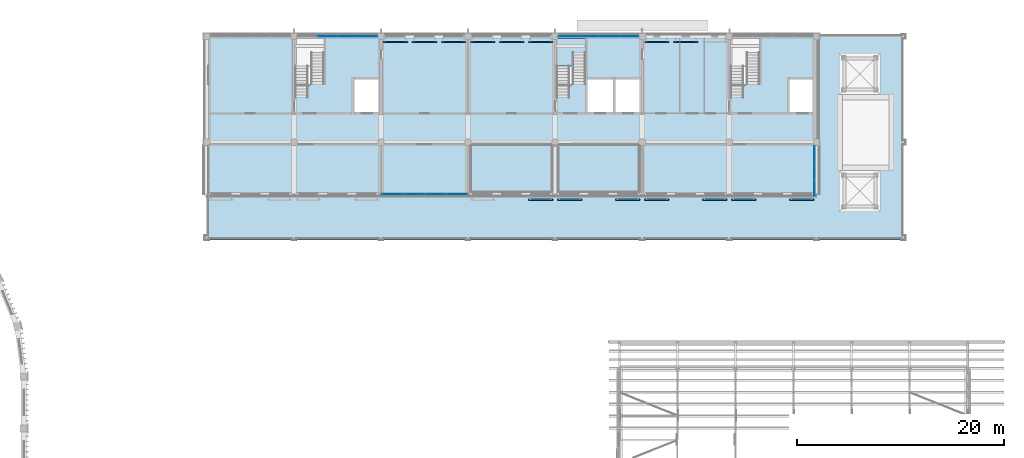
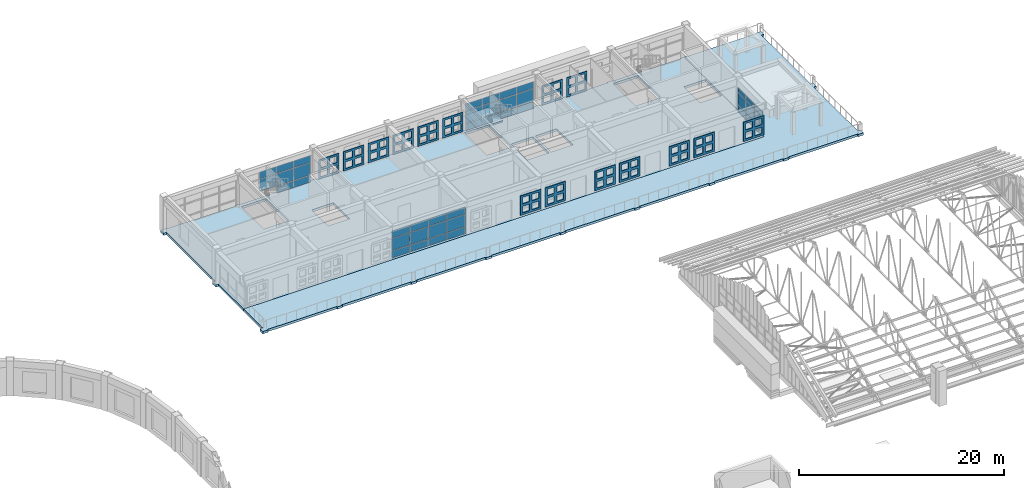
# One storey, part 36 of 71: 56 plates, 3 slabs, 5 elements without a shape of their own.
"""IFC4 building model written with IfcOpenShell, lengths in metres."""

import ifcopenshell
import ifcopenshell.guid

model = None  # the IFC model being written
_history = None  # IfcOwnerHistory: only IFC2X3 demands one
_inside = {}  # id of a spatial element -> (the spatial element, [elements in it])
_under = {}  # id of a project, library or spatial element -> (it, [spatial elements below it])
_declared = {}  # id of a project -> (the project, [libraries it declares])
_typed = {}  # id of a type object -> (the type object, [elements of that type])
_made_of = {}  # id of a material, layer set ... -> (it, [elements and type objects made of it])


def new_model(schema):
    """Start an empty IFC model of exactly this schema.

    Asked for "IFC4X3", IfcOpenShell would pick the latest addendum, in which some entities
    have other attributes; the version numbers below select the first issue.
    IFC2X3 requires an IfcOwnerHistory on every rooted entity: one is made here for all.
    """
    global model, _history
    if schema == "IFC4X3":
        model = ifcopenshell.file(schema_version=(4, 3, 0, 0))
    else:
        model = ifcopenshell.file(schema=schema)
    _inside.clear()
    _under.clear()
    _declared.clear()
    _typed.clear()
    _made_of.clear()
    _history = None
    if model.schema == "IFC2X3":
        org = make("IfcOrganization", Name="unknown")
        user = make(
            "IfcPersonAndOrganization",
            ThePerson=make("IfcPerson", FamilyName="unknown"),
            TheOrganization=org,
        )
        app = make(
            "IfcApplication",
            ApplicationDeveloper=org,
            Version="unknown",
            ApplicationFullName="unknown",
            ApplicationIdentifier="unknown",
        )
        _history = make(
            "IfcOwnerHistory",
            OwningUser=user,
            OwningApplication=app,
            ChangeAction="ADDED",
            CreationDate=0,
        )
    return model


def make(cls, **values):
    """One entity of the class cls with the attributes given. An attribute that is None is left unset."""
    return model.create_entity(
        cls, **{name: value for name, value in values.items() if value is not None}
    )


def rooted(cls, **values):
    """An entity with a GlobalId (a new one), such as an element, a storey or a relation."""
    return make(cls, GlobalId=ifcopenshell.guid.new(), OwnerHistory=_history, **values)


def si_unit(unit_type, name, prefix=None):
    """IfcSIUnit, for example si_unit("LENGTHUNIT", "METRE", prefix="MILLI")."""
    return make("IfcSIUnit", UnitType=unit_type, Prefix=prefix, Name=name)


def assignment(units):
    """IfcUnitAssignment: the units of a project."""
    return None if units is None else make("IfcUnitAssignment", Units=units)


def point(xyz):
    """IfcCartesianPoint."""
    return None if xyz is None else make("IfcCartesianPoint", Coordinates=xyz)


def direction(xyz):
    """IfcDirection."""
    return None if xyz is None else make("IfcDirection", DirectionRatios=xyz)


def frame(location, z_axis=None, x_axis=None):
    """IfcAxis2Placement3D, a coordinate frame: its origin and axes. An axis left out is left unset."""
    return make(
        "IfcAxis2Placement3D",
        Location=point(location),
        Axis=direction(z_axis),
        RefDirection=direction(x_axis),
    )


def frame_2d(location, x_axis=None):
    """IfcAxis2Placement2D, a coordinate frame in the plane: its origin and x axis."""
    return make(
        "IfcAxis2Placement2D", Location=point(location), RefDirection=direction(x_axis)
    )


def origin():
    """The frame at (0, 0, 0) with its axes left unset."""
    return frame((0.0, 0.0, 0.0))


def origin_2d():
    """The frame at (0, 0) in the plane with its x axis left unset."""
    return frame_2d((0.0, 0.0))


def place(relative_to, where):
    """IfcLocalPlacement: puts the frame where relative to a parent placement (None: the world)."""
    return make(
        "IfcLocalPlacement", PlacementRelTo=relative_to, RelativePlacement=where
    )


def context(
    kind, dimensions, precision=None, world=None, true_north=None, identifier=None
):
    """IfcGeometricRepresentationContext, for example the 3D "Model" context."""
    return make(
        "IfcGeometricRepresentationContext",
        ContextIdentifier=identifier,
        ContextType=kind,
        CoordinateSpaceDimension=dimensions,
        Precision=precision,
        WorldCoordinateSystem=world,
        TrueNorth=true_north,
    )


def subcontext(parent, identifier, kind, view, scale=None):
    """IfcGeometricRepresentationSubContext, for example "Body" below "Model"."""
    return make(
        "IfcGeometricRepresentationSubContext",
        ContextIdentifier=identifier,
        ContextType=kind,
        ParentContext=parent,
        TargetScale=scale,
        TargetView=view,
    )


def project(units=None, contexts=None):
    """IfcProject with its units and contexts."""
    return rooted(
        "IfcProject",
        Name="project",
        RepresentationContexts=contexts,
        UnitsInContext=assignment(units),
    )


def spatial(cls, under=None, at=None, **own):
    """A site, building, storey or space (cls), placed at a placement, below another one or the project."""
    s = rooted(cls, ObjectPlacement=at, **own)
    if under is not None:
        _under.setdefault(under.id(), (under, []))[1].append(s)
    return s


def polyline(points):
    """IfcPolyline through the points."""
    return make("IfcPolyline", Points=[point(p) for p in points])


def profile(cls, at=None, kind="AREA", **sizes):
    """A parametric profile (cls). Its sizes go by their IFC names, for example OverallWidth=200.0."""
    return make(cls, ProfileType=kind, Position=at, **sizes)


def rectangle(**sizes):
    """IfcRectangleProfileDef."""
    return profile("IfcRectangleProfileDef", **sizes)


def outline(outer, holes=None, kind="AREA"):
    """IfcArbitraryClosedProfileDef: a profile drawn as a closed curve; with holes, ...WithVoids."""
    if holes is None:
        return make("IfcArbitraryClosedProfileDef", ProfileType=kind, OuterCurve=outer)
    return make(
        "IfcArbitraryProfileDefWithVoids",
        ProfileType=kind,
        OuterCurve=outer,
        InnerCurves=holes,
    )


def extrude(swept, where, along, depth):
    """IfcExtrudedAreaSolid: the profile swept, set in the frame where, extruded along a direction by depth."""
    return make(
        "IfcExtrudedAreaSolid",
        SweptArea=swept,
        Position=where,
        ExtrudedDirection=direction(along),
        Depth=depth,
    )


def shape(context_of_items, identifier, shape_type, items):
    """IfcShapeRepresentation: the items that make up one representation, for example the "Body"."""
    return make(
        "IfcShapeRepresentation",
        ContextOfItems=context_of_items,
        RepresentationIdentifier=identifier,
        RepresentationType=shape_type,
        Items=items,
    )


def material(Name=None, Category=None):
    """IfcMaterial."""
    return make("IfcMaterial", Name=Name, Category=Category)


def layer(
    of_material, thickness, ventilated=None, Name=None, Category=None, Priority=None
):
    """IfcMaterialLayer: one layer of a wall or slab, of a material (None: an air gap)."""
    return make(
        "IfcMaterialLayer",
        Material=of_material,
        LayerThickness=thickness,
        IsVentilated=ventilated,
        Name=Name,
        Category=Category,
        Priority=Priority,
    )


def layer_set(layers, Name=None):
    """IfcMaterialLayerSet."""
    return make("IfcMaterialLayerSet", MaterialLayers=layers, LayerSetName=Name)


def material_profile(
    of_material, cross_section, Name=None, Category=None, Priority=None
):
    """IfcMaterialProfile: a cross section and its material."""
    return make(
        "IfcMaterialProfile",
        Name=Name,
        Material=of_material,
        Profile=cross_section,
        Priority=Priority,
        Category=Category,
    )


def profile_set(profiles, Name=None, composite=None):
    """IfcMaterialProfileSet."""
    return make(
        "IfcMaterialProfileSet",
        Name=Name,
        MaterialProfiles=profiles,
        CompositeProfile=composite,
    )


def made_of(thing, what):
    """Note that an element or type object is made of a material, layer set ...; save() writes the relation."""
    if what is not None:
        _made_of.setdefault(what.id(), (what, []))[1].append(thing)
    return thing


def type_object(cls, material=None, **own):
    """A type object (cls), such as IfcWallType, which elements share."""
    return made_of(rooted(cls, **own), material)


def element(
    cls,
    number,
    at=None,
    inside=None,
    cuts=None,
    type_object=None,
    material=None,
    context=None,
    identifier="Body",
    shape_type=None,
    held_by="IfcProductDefinitionShape",
    body=None,
    shapes=None,
    **own,
):
    """One element of the class cls, such as IfcWall. Its Tag is "e" and its number.

    at: its placement. inside: the storey or other place that contains it. cuts: it is an
    opening in that element (IfcRelVoidsElement). A single representation is given by context,
    identifier, shape_type and body (its items); several are given by shapes. held_by: the class
    of the entity that holds the representations. save() writes the other relations.
    """
    e = rooted(cls, Tag="e%d" % number, ObjectPlacement=at, **own)
    if body is not None:
        shapes = [shape(context, identifier, shape_type, body)]
    if shapes is not None:
        e.Representation = make(held_by, Representations=shapes)
    if inside is not None:
        _inside.setdefault(inside.id(), (inside, []))[1].append(e)
    if cuts is not None:
        rooted(
            "IfcRelVoidsElement", RelatingBuildingElement=cuts, RelatedOpeningElement=e
        )
    if type_object is not None:
        _typed.setdefault(type_object.id(), (type_object, []))[1].append(e)
    return made_of(e, material)


def aggregate(whole, parts):
    """IfcRelAggregates: a whole, such as a stair, and the parts it consists of."""
    return rooted("IfcRelAggregates", RelatingObject=whole, RelatedObjects=parts)


def save(model, path):
    """Write the relations noted so far, then the file.

    IfcRelAggregates (storeys below a building ...), IfcRelContainedInSpatialStructure (elements
    in a storey), IfcRelDefinesByType, IfcRelAssociatesMaterial and IfcRelDeclares: one each for
    every whole, place, type object, material and project.
    """
    for whole, parts in _under.values():
        aggregate(whole, parts)
    for where, things in _inside.values():
        rooted(
            "IfcRelContainedInSpatialStructure",
            RelatedElements=things,
            RelatingStructure=where,
        )
    for kind, things in _typed.values():
        rooted("IfcRelDefinesByType", RelatedObjects=things, RelatingType=kind)
    for what, things in _made_of.values():
        rooted("IfcRelAssociatesMaterial", RelatedObjects=things, RelatingMaterial=what)
    for by, libraries in _declared.values():
        rooted("IfcRelDeclares", RelatingContext=by, RelatedDefinitions=libraries)
    model.write(path)


model = new_model("IFC4")

# Units and contexts
model_context = context("Model", 3, precision=1e-05, world=origin(), true_north=direction((0.0, 1.0)))
body_context = subcontext(model_context, "Body", "Model", "MODEL_VIEW")
ifc_project = project(units=[si_unit("LENGTHUNIT", "METRE"), si_unit("AREAUNIT", "SQUARE_METRE"), si_unit("VOLUMEUNIT", "CUBIC_METRE"), si_unit("PLANEANGLEUNIT", "RADIAN"), si_unit("MASSUNIT", "GRAM", prefix="KILO")], contexts=[model_context])

# Site, building, storey
site_placement = place(None, origin())
site = spatial("IfcSite", under=ifc_project, at=site_placement, CompositionType="ELEMENT")
building_placement = place(site_placement, origin())
building = spatial("IfcBuilding", under=site, at=building_placement, Name="Wasatch Bagh Community Centre", CompositionType="ELEMENT")
storey_placement = place(building_placement, frame((0.0, 0.0, 12.60009765625)))
storey = spatial("IfcBuildingStorey", under=building, at=storey_placement, Name="L03", CompositionType="ELEMENT", Elevation=12.60009765625)

# Curtain wall, plates
ifc_material_1 = material(Name="Aluminium curtain wall frame with low-iron glass", Category="aluminium")
ifc_layer_1 = layer(ifc_material_1, 0.10009765625)
ifc_layer_set_1 = layer_set([ifc_layer_1], Name="Aluminium curtain wall frame with low-iron glass")
curtain_wall_type_1 = type_object("IfcCurtainWallType", Name="LW curtain wall 100", PredefinedType="NOTDEFINED", material=ifc_layer_set_1)
curtain_wall_1_placement = place(storey_placement, origin())
curtain_wall_1 = element("IfcCurtainWall", 1, at=curtain_wall_1_placement, inside=storey, type_object=curtain_wall_type_1, Name="Curtain wall 03.03", PredefinedType="NOTDEFINED")
ifc_material_2 = material(Name="Low-iron insulated glass", Category="glass")
ifc_layer_2 = layer(ifc_material_2, 0.028076171875)
ifc_layer_set_2 = layer_set([ifc_layer_2], Name="Low-iron insulated glass")
plate_type_1 = type_object("IfcPlateType", Name="LW curtain wall panel 28", PredefinedType="CURTAIN_PANEL", material=ifc_layer_set_2)
plate_1_placement = place(storey_placement, frame((84.02490234375, 97.800048828125, 0.929931640625), z_axis=(0.0, 0.0, 1.0), x_axis=(1.0, 0.0, 0.0)))
plate_1 = element("IfcPlate", 2, at=plate_1_placement, type_object=plate_type_1, Name="LW-CW1 panel 2.2", PredefinedType="CURTAIN_PANEL", context=body_context, shape_type="SweptSolid", body=[
    extrude(rectangle(XDim=1.889892578125, YDim=0.028076171875, at=origin_2d()), origin(), (0.0, 0.0, 1.0), 1.43994140625),
])
plate_2_placement = place(storey_placement, frame((84.02490234375, 97.800048828125, 2.429931640625), z_axis=(0.0, 0.0, 1.0), x_axis=(1.0, 0.0, 0.0)))
plate_2 = element("IfcPlate", 3, at=plate_2_placement, type_object=plate_type_1, Name="LW-CW1 panel 2.3", PredefinedType="CURTAIN_PANEL", context=body_context, shape_type="SweptSolid", body=[
    extrude(rectangle(XDim=1.889892578125, YDim=0.028076171875, at=origin_2d()), origin(), (0.0, 0.0, 1.0), 0.830078125),
])
plate_3_placement = place(storey_placement, frame((85.97509765625, 97.800048828125, 0.059814453125), z_axis=(0.0, 0.0, 1.0), x_axis=(1.0, 0.0, 0.0)))
plate_3 = element("IfcPlate", 4, at=plate_3_placement, type_object=plate_type_1, Name="LW-CW1 panel 3.1", PredefinedType="CURTAIN_PANEL", context=body_context, shape_type="SweptSolid", body=[
    extrude(rectangle(XDim=1.889892578125, YDim=0.028076171875, at=origin_2d()), origin(), (0.0, 0.0, 1.0), 0.81005859375),
])
plate_4_placement = place(storey_placement, frame((85.97509765625, 97.800048828125, 0.929931640625), z_axis=(0.0, 0.0, 1.0), x_axis=(1.0, 0.0, 0.0)))
plate_4 = element("IfcPlate", 5, at=plate_4_placement, type_object=plate_type_1, Name="LW-CW1 panel 3.2", PredefinedType="CURTAIN_PANEL", context=body_context, shape_type="SweptSolid", body=[
    extrude(rectangle(XDim=1.889892578125, YDim=0.028076171875, at=origin_2d()), origin(), (0.0, 0.0, 1.0), 1.43994140625),
])
plate_5_placement = place(storey_placement, frame((85.97509765625, 97.800048828125, 2.429931640625), z_axis=(0.0, 0.0, 1.0), x_axis=(1.0, 0.0, 0.0)))
plate_5 = element("IfcPlate", 6, at=plate_5_placement, type_object=plate_type_1, Name="LW-CW1 panel 3.3", PredefinedType="CURTAIN_PANEL", context=body_context, shape_type="SweptSolid", body=[
    extrude(rectangle(XDim=1.889892578125, YDim=0.028076171875, at=origin_2d()), origin(), (0.0, 0.0, 1.0), 0.830078125),
])
plate_6_placement = place(storey_placement, frame((87.909912109375, 97.800048828125, 0.059814453125), z_axis=(0.0, 0.0, 1.0), x_axis=(1.0, 0.0, 0.0)))
plate_6 = element("IfcPlate", 7, at=plate_6_placement, type_object=plate_type_1, Name="LW-CW1 panel 4.1", PredefinedType="CURTAIN_PANEL", context=body_context, shape_type="SweptSolid", body=[
    extrude(rectangle(XDim=1.860107421875, YDim=0.028076171875, at=origin_2d()), origin(), (0.0, 0.0, 1.0), 0.81005859375),
])
plate_7_placement = place(storey_placement, frame((87.909912109375, 97.800048828125, 0.929931640625), z_axis=(0.0, 0.0, 1.0), x_axis=(1.0, 0.0, 0.0)))
plate_7 = element("IfcPlate", 8, at=plate_7_placement, type_object=plate_type_1, Name="LW-CW1 panel 4.2", PredefinedType="CURTAIN_PANEL", context=body_context, shape_type="SweptSolid", body=[
    extrude(rectangle(XDim=1.860107421875, YDim=0.028076171875, at=origin_2d()), origin(), (0.0, 0.0, 1.0), 1.43994140625),
])
plate_8_placement = place(storey_placement, frame((87.909912109375, 97.800048828125, 2.429931640625), z_axis=(0.0, 0.0, 1.0), x_axis=(1.0, 0.0, 0.0)))
plate_8 = element("IfcPlate", 9, at=plate_8_placement, type_object=plate_type_1, Name="LW-CW1 panel 4.3", PredefinedType="CURTAIN_PANEL", context=body_context, shape_type="SweptSolid", body=[
    extrude(rectangle(XDim=1.860107421875, YDim=0.028076171875, at=origin_2d()), origin(), (0.0, 0.0, 1.0), 0.830078125),
])
aggregate(curtain_wall_1, [plate_1, plate_2, plate_3, plate_4, plate_5, plate_6, plate_7, plate_8])

curtain_wall_2_placement = place(storey_placement, origin())
curtain_wall_2 = element("IfcCurtainWall", 10, at=curtain_wall_2_placement, inside=storey, type_object=curtain_wall_type_1, Name="Curtain wall 03.04", PredefinedType="NOTDEFINED")
plate_9_placement = place(storey_placement, frame((107.2900390625, 97.800048828125, 0.059814453125), z_axis=(0.0, 0.0, 1.0), x_axis=(1.0, 0.0, 0.0)))
plate_9 = element("IfcPlate", 11, at=plate_9_placement, type_object=plate_type_1, Name="LW-CW1 panel 1.1", PredefinedType="CURTAIN_PANEL", context=body_context, shape_type="SweptSolid", body=[
    extrude(rectangle(XDim=1.860107421875, YDim=0.028076171875, at=origin_2d()), origin(), (0.0, 0.0, 1.0), 0.81005859375),
])
plate_10_placement = place(storey_placement, frame((107.2900390625, 97.800048828125, 0.929931640625), z_axis=(0.0, 0.0, 1.0), x_axis=(1.0, 0.0, 0.0)))
plate_10 = element("IfcPlate", 12, at=plate_10_placement, type_object=plate_type_1, Name="LW-CW1 panel 1.2", PredefinedType="CURTAIN_PANEL", context=body_context, shape_type="SweptSolid", body=[
    extrude(rectangle(XDim=1.860107421875, YDim=0.028076171875, at=origin_2d()), origin(), (0.0, 0.0, 1.0), 1.43994140625),
])
plate_11_placement = place(storey_placement, frame((107.2900390625, 97.800048828125, 2.429931640625), z_axis=(0.0, 0.0, 1.0), x_axis=(1.0, 0.0, 0.0)))
plate_11 = element("IfcPlate", 13, at=plate_11_placement, type_object=plate_type_1, Name="LW-CW1 panel 1.3", PredefinedType="CURTAIN_PANEL", context=body_context, shape_type="SweptSolid", body=[
    extrude(rectangle(XDim=1.860107421875, YDim=0.028076171875, at=origin_2d()), origin(), (0.0, 0.0, 1.0), 0.830078125),
])
plate_12_placement = place(storey_placement, frame((109.22509765625, 97.800048828125, 0.059814453125), z_axis=(0.0, 0.0, 1.0), x_axis=(1.0, 0.0, 0.0)))
plate_12 = element("IfcPlate", 14, at=plate_12_placement, type_object=plate_type_1, Name="LW-CW1 panel 2.1", PredefinedType="CURTAIN_PANEL", context=body_context, shape_type="SweptSolid", body=[
    extrude(rectangle(XDim=1.889892578125, YDim=0.028076171875, at=origin_2d()), origin(), (0.0, 0.0, 1.0), 0.81005859375),
])
plate_13_placement = place(storey_placement, frame((109.22509765625, 97.800048828125, 0.929931640625), z_axis=(0.0, 0.0, 1.0), x_axis=(1.0, 0.0, 0.0)))
plate_13 = element("IfcPlate", 15, at=plate_13_placement, type_object=plate_type_1, Name="LW-CW1 panel 2.2", PredefinedType="CURTAIN_PANEL", context=body_context, shape_type="SweptSolid", body=[
    extrude(rectangle(XDim=1.889892578125, YDim=0.028076171875, at=origin_2d()), origin(), (0.0, 0.0, 1.0), 1.43994140625),
])
plate_14_placement = place(storey_placement, frame((109.22509765625, 97.800048828125, 2.429931640625), z_axis=(0.0, 0.0, 1.0), x_axis=(1.0, 0.0, 0.0)))
plate_14 = element("IfcPlate", 16, at=plate_14_placement, type_object=plate_type_1, Name="LW-CW1 panel 2.3", PredefinedType="CURTAIN_PANEL", context=body_context, shape_type="SweptSolid", body=[
    extrude(rectangle(XDim=1.889892578125, YDim=0.028076171875, at=origin_2d()), origin(), (0.0, 0.0, 1.0), 0.830078125),
])
plate_15_placement = place(storey_placement, frame((111.175048828125, 97.800048828125, 0.059814453125), z_axis=(0.0, 0.0, 1.0), x_axis=(1.0, 0.0, 0.0)))
plate_15 = element("IfcPlate", 17, at=plate_15_placement, type_object=plate_type_1, Name="LW-CW1 panel 3.1", PredefinedType="CURTAIN_PANEL", context=body_context, shape_type="SweptSolid", body=[
    extrude(rectangle(XDim=1.889892578125, YDim=0.028076171875, at=origin_2d()), origin(), (0.0, 0.0, 1.0), 0.81005859375),
])
plate_16_placement = place(storey_placement, frame((111.175048828125, 97.800048828125, 0.929931640625), z_axis=(0.0, 0.0, 1.0), x_axis=(1.0, 0.0, 0.0)))
plate_16 = element("IfcPlate", 18, at=plate_16_placement, type_object=plate_type_1, Name="LW-CW1 panel 3.2", PredefinedType="CURTAIN_PANEL", context=body_context, shape_type="SweptSolid", body=[
    extrude(rectangle(XDim=1.889892578125, YDim=0.028076171875, at=origin_2d()), origin(), (0.0, 0.0, 1.0), 1.43994140625),
])
plate_17_placement = place(storey_placement, frame((111.175048828125, 97.800048828125, 2.429931640625), z_axis=(0.0, 0.0, 1.0), x_axis=(1.0, 0.0, 0.0)))
plate_17 = element("IfcPlate", 19, at=plate_17_placement, type_object=plate_type_1, Name="LW-CW1 panel 3.3", PredefinedType="CURTAIN_PANEL", context=body_context, shape_type="SweptSolid", body=[
    extrude(rectangle(XDim=1.889892578125, YDim=0.028076171875, at=origin_2d()), origin(), (0.0, 0.0, 1.0), 0.830078125),
])
plate_18_placement = place(storey_placement, frame((113.110107421875, 97.800048828125, 0.059814453125), z_axis=(0.0, 0.0, 1.0), x_axis=(1.0, 0.0, 0.0)))
plate_18 = element("IfcPlate", 20, at=plate_18_placement, type_object=plate_type_1, Name="LW-CW1 panel 4.1", PredefinedType="CURTAIN_PANEL", context=body_context, shape_type="SweptSolid", body=[
    extrude(rectangle(XDim=1.860107421875, YDim=0.028076171875, at=origin_2d()), origin(), (0.0, 0.0, 1.0), 0.81005859375),
])
plate_19_placement = place(storey_placement, frame((113.110107421875, 97.800048828125, 0.929931640625), z_axis=(0.0, 0.0, 1.0), x_axis=(1.0, 0.0, 0.0)))
plate_19 = element("IfcPlate", 21, at=plate_19_placement, type_object=plate_type_1, Name="LW-CW1 panel 4.2", PredefinedType="CURTAIN_PANEL", context=body_context, shape_type="SweptSolid", body=[
    extrude(rectangle(XDim=1.860107421875, YDim=0.028076171875, at=origin_2d()), origin(), (0.0, 0.0, 1.0), 1.43994140625),
])
plate_20_placement = place(storey_placement, frame((113.110107421875, 97.800048828125, 2.429931640625), z_axis=(0.0, 0.0, 1.0), x_axis=(1.0, 0.0, 0.0)))
plate_20 = element("IfcPlate", 22, at=plate_20_placement, type_object=plate_type_1, Name="LW-CW1 panel 4.3", PredefinedType="CURTAIN_PANEL", context=body_context, shape_type="SweptSolid", body=[
    extrude(rectangle(XDim=1.860107421875, YDim=0.028076171875, at=origin_2d()), origin(), (0.0, 0.0, 1.0), 0.830078125),
])
aggregate(curtain_wall_2, [plate_9, plate_10, plate_11, plate_12, plate_13, plate_14, plate_15, plate_16, plate_17, plate_18, plate_19, plate_20])

ifc_layer_3 = layer(ifc_material_1, 0.139892578125)
ifc_layer_set_3 = layer_set([ifc_layer_3], Name="Aluminium curtain wall frame with low-iron glass")
curtain_wall_type_2 = type_object("IfcCurtainWallType", Name="LW terrace front curtain wall 140", PredefinedType="NOTDEFINED", material=ifc_layer_set_3)
curtain_wall_3_placement = place(storey_placement, origin())
curtain_wall_3 = element("IfcCurtainWall", 23, at=curtain_wall_3_placement, inside=storey, type_object=curtain_wall_type_2, Name="Curtain wall 03.01", PredefinedType="NOTDEFINED")
ifc_layer_4 = layer(ifc_material_2, 0.028076171875)
ifc_layer_set_4 = layer_set([ifc_layer_4], Name="Low-iron insulated glass")
plate_type_2 = type_object("IfcPlateType", Name="LW curtain wall panel 28 LW-CW3", PredefinedType="CURTAIN_PANEL", material=ifc_layer_set_4)
plate_21_placement = place(storey_placement, frame((90.264892578125, 82.60009765625, 0.059814453125), z_axis=(0.0, 0.0, 1.0), x_axis=(1.0, 0.0, 0.0)))
plate_21 = element("IfcPlate", 24, at=plate_21_placement, type_object=plate_type_2, Name="LW-CW3 panel 1.1", PredefinedType="CURTAIN_PANEL", context=body_context, shape_type="SweptSolid", body=[
    extrude(rectangle(XDim=2.010009765625, YDim=0.028076171875, at=origin_2d()), origin(), (0.0, 0.0, 1.0), 0.81005859375),
])
plate_22_placement = place(storey_placement, frame((90.264892578125, 82.60009765625, 0.929931640625), z_axis=(0.0, 0.0, 1.0), x_axis=(1.0, 0.0, 0.0)))
plate_22 = element("IfcPlate", 25, at=plate_22_placement, type_object=plate_type_2, Name="LW-CW3 panel 1.2", PredefinedType="CURTAIN_PANEL", context=body_context, shape_type="SweptSolid", body=[
    extrude(rectangle(XDim=2.010009765625, YDim=0.028076171875, at=origin_2d()), origin(), (0.0, 0.0, 1.0), 1.43994140625),
])
plate_23_placement = place(storey_placement, frame((90.264892578125, 82.60009765625, 2.429931640625), z_axis=(0.0, 0.0, 1.0), x_axis=(1.0, 0.0, 0.0)))
plate_23 = element("IfcPlate", 26, at=plate_23_placement, type_object=plate_type_2, Name="LW-CW3 panel 1.3", PredefinedType="CURTAIN_PANEL", context=body_context, shape_type="SweptSolid", body=[
    extrude(rectangle(XDim=2.010009765625, YDim=0.028076171875, at=origin_2d()), origin(), (0.0, 0.0, 1.0), 0.830078125),
])
plate_24_placement = place(storey_placement, frame((92.35009765625, 82.60009765625, 0.059814453125), z_axis=(0.0, 0.0, 1.0), x_axis=(1.0, 0.0, 0.0)))
plate_24 = element("IfcPlate", 27, at=plate_24_placement, type_object=plate_type_2, Name="LW-CW3 panel 2.1", PredefinedType="CURTAIN_PANEL", context=body_context, shape_type="SweptSolid", body=[
    extrude(rectangle(XDim=2.0400390625, YDim=0.028076171875, at=origin_2d()), origin(), (0.0, 0.0, 1.0), 0.81005859375),
])
plate_25_placement = place(storey_placement, frame((92.35009765625, 82.60009765625, 0.929931640625), z_axis=(0.0, 0.0, 1.0), x_axis=(1.0, 0.0, 0.0)))
plate_25 = element("IfcPlate", 28, at=plate_25_placement, type_object=plate_type_2, Name="LW-CW3 panel 2.2", PredefinedType="CURTAIN_PANEL", context=body_context, shape_type="SweptSolid", body=[
    extrude(rectangle(XDim=2.0400390625, YDim=0.028076171875, at=origin_2d()), origin(), (0.0, 0.0, 1.0), 1.43994140625),
])
plate_26_placement = place(storey_placement, frame((92.35009765625, 82.60009765625, 2.429931640625), z_axis=(0.0, 0.0, 1.0), x_axis=(1.0, 0.0, 0.0)))
plate_26 = element("IfcPlate", 29, at=plate_26_placement, type_object=plate_type_2, Name="LW-CW3 panel 2.3", PredefinedType="CURTAIN_PANEL", context=body_context, shape_type="SweptSolid", body=[
    extrude(rectangle(XDim=2.0400390625, YDim=0.028076171875, at=origin_2d()), origin(), (0.0, 0.0, 1.0), 0.830078125),
])
plate_27_placement = place(storey_placement, frame((94.449951171875, 82.60009765625, 0.059814453125), z_axis=(0.0, 0.0, 1.0), x_axis=(1.0, 0.0, 0.0)))
plate_27 = element("IfcPlate", 30, at=plate_27_placement, type_object=plate_type_2, Name="LW-CW3 panel 3.1", PredefinedType="CURTAIN_PANEL", context=body_context, shape_type="SweptSolid", body=[
    extrude(rectangle(XDim=2.0400390625, YDim=0.028076171875, at=origin_2d()), origin(), (0.0, 0.0, 1.0), 0.81005859375),
])
plate_28_placement = place(storey_placement, frame((94.449951171875, 82.60009765625, 0.929931640625), z_axis=(0.0, 0.0, 1.0), x_axis=(1.0, 0.0, 0.0)))
plate_28 = element("IfcPlate", 31, at=plate_28_placement, type_object=plate_type_2, Name="LW-CW3 panel 3.2", PredefinedType="CURTAIN_PANEL", context=body_context, shape_type="SweptSolid", body=[
    extrude(rectangle(XDim=2.0400390625, YDim=0.028076171875, at=origin_2d()), origin(), (0.0, 0.0, 1.0), 1.43994140625),
])
plate_29_placement = place(storey_placement, frame((94.449951171875, 82.60009765625, 2.429931640625), z_axis=(0.0, 0.0, 1.0), x_axis=(1.0, 0.0, 0.0)))
plate_29 = element("IfcPlate", 32, at=plate_29_placement, type_object=plate_type_2, Name="LW-CW3 panel 3.3", PredefinedType="CURTAIN_PANEL", context=body_context, shape_type="SweptSolid", body=[
    extrude(rectangle(XDim=2.0400390625, YDim=0.028076171875, at=origin_2d()), origin(), (0.0, 0.0, 1.0), 0.830078125),
])
plate_30_placement = place(storey_placement, frame((96.534912109375, 82.60009765625, 0.059814453125), z_axis=(0.0, 0.0, 1.0), x_axis=(1.0, 0.0, 0.0)))
plate_30 = element("IfcPlate", 33, at=plate_30_placement, type_object=plate_type_2, Name="LW-CW3 panel 4.1", PredefinedType="CURTAIN_PANEL", context=body_context, shape_type="SweptSolid", body=[
    extrude(rectangle(XDim=2.010009765625, YDim=0.028076171875, at=origin_2d()), origin(), (0.0, 0.0, 1.0), 0.81005859375),
])
plate_31_placement = place(storey_placement, frame((96.534912109375, 82.60009765625, 0.929931640625), z_axis=(0.0, 0.0, 1.0), x_axis=(1.0, 0.0, 0.0)))
plate_31 = element("IfcPlate", 34, at=plate_31_placement, type_object=plate_type_2, Name="LW-CW3 panel 4.2", PredefinedType="CURTAIN_PANEL", context=body_context, shape_type="SweptSolid", body=[
    extrude(rectangle(XDim=2.010009765625, YDim=0.028076171875, at=origin_2d()), origin(), (0.0, 0.0, 1.0), 1.43994140625),
])
plate_32_placement = place(storey_placement, frame((96.534912109375, 82.60009765625, 2.429931640625), z_axis=(0.0, 0.0, 1.0), x_axis=(1.0, 0.0, 0.0)))
plate_32 = element("IfcPlate", 35, at=plate_32_placement, type_object=plate_type_2, Name="LW-CW3 panel 4.3", PredefinedType="CURTAIN_PANEL", context=body_context, shape_type="SweptSolid", body=[
    extrude(rectangle(XDim=2.010009765625, YDim=0.028076171875, at=origin_2d()), origin(), (0.0, 0.0, 1.0), 0.830078125),
])
aggregate(curtain_wall_3, [plate_21, plate_22, plate_23, plate_24, plate_25, plate_26, plate_27, plate_28, plate_29, plate_30, plate_31, plate_32])

ifc_layer_5 = layer(ifc_material_1, 0.159912109375)
ifc_layer_set_5 = layer_set([ifc_layer_5], Name="Aluminium curtain wall frame with low-iron glass")
curtain_wall_type_3 = type_object("IfcCurtainWallType", Name="LW gable curtain wall 160", PredefinedType="NOTDEFINED", material=ifc_layer_set_5)
curtain_wall_4_placement = place(storey_placement, origin())
curtain_wall_4 = element("IfcCurtainWall", 36, at=curtain_wall_4_placement, inside=storey, type_object=curtain_wall_type_3, Name="Curtain wall 03.07", PredefinedType="NOTDEFINED")
ifc_layer_6 = layer(ifc_material_2, 0.028076171875)
ifc_layer_set_6 = layer_set([ifc_layer_6], Name="Low-iron insulated glass")
plate_type_3 = type_object("IfcPlateType", Name="LW curtain wall panel 28 LW-CW4", PredefinedType="CURTAIN_PANEL", material=ifc_layer_set_6)
plate_33_placement = place(storey_placement, frame((131.02490234375, 83.231689453125, 0.059814453125), z_axis=(0.0, 0.0, 1.0), x_axis=(0.0, 1.0, 0.0)))
plate_33 = element("IfcPlate", 37, at=plate_33_placement, type_object=plate_type_3, Name="LW-CW4 panel 1.1", PredefinedType="CURTAIN_PANEL", context=body_context, shape_type="SweptSolid", body=[
    extrude(rectangle(XDim=1.543212890625, YDim=0.028076171875, at=origin_2d()), origin(), (0.0, 0.0, 1.0), 0.81005859375),
])
plate_34_placement = place(storey_placement, frame((131.02490234375, 83.231689453125, 0.929931640625), z_axis=(0.0, 0.0, 1.0), x_axis=(0.0, 1.0, 0.0)))
plate_34 = element("IfcPlate", 38, at=plate_34_placement, type_object=plate_type_3, Name="LW-CW4 panel 1.2", PredefinedType="CURTAIN_PANEL", context=body_context, shape_type="SweptSolid", body=[
    extrude(rectangle(XDim=1.543212890625, YDim=0.028076171875, at=origin_2d()), origin(), (0.0, 0.0, 1.0), 1.43994140625),
])
plate_35_placement = place(storey_placement, frame((131.02490234375, 83.231689453125, 2.4296875), z_axis=(0.0, 0.0, 1.0), x_axis=(0.0, 1.0, 0.0)))
plate_35 = element("IfcPlate", 39, at=plate_35_placement, type_object=plate_type_3, Name="LW-CW4 panel 1.3", PredefinedType="CURTAIN_PANEL", context=body_context, shape_type="SweptSolid", body=[
    extrude(rectangle(XDim=1.543212890625, YDim=0.028076171875, at=origin_2d()), origin(), (0.0, 0.0, 1.0), 0.530029296875),
])
plate_36_placement = place(storey_placement, frame((131.02490234375, 84.85009765625, 0.059814453125), z_axis=(0.0, 0.0, 1.0), x_axis=(0.0, 1.0, 0.0)))
plate_36 = element("IfcPlate", 40, at=plate_36_placement, type_object=plate_type_3, Name="LW-CW4 panel 2.1", PredefinedType="CURTAIN_PANEL", context=body_context, shape_type="SweptSolid", body=[
    extrude(rectangle(XDim=1.5732421875, YDim=0.028076171875, at=origin_2d()), origin(), (0.0, 0.0, 1.0), 0.81005859375),
])
plate_37_placement = place(storey_placement, frame((131.02490234375, 84.85009765625, 0.929931640625), z_axis=(0.0, 0.0, 1.0), x_axis=(0.0, 1.0, 0.0)))
plate_37 = element("IfcPlate", 41, at=plate_37_placement, type_object=plate_type_3, Name="LW-CW4 panel 2.2", PredefinedType="CURTAIN_PANEL", context=body_context, shape_type="SweptSolid", body=[
    extrude(rectangle(XDim=1.5732421875, YDim=0.028076171875, at=origin_2d()), origin(), (0.0, 0.0, 1.0), 1.43994140625),
])
plate_38_placement = place(storey_placement, frame((131.02490234375, 84.85009765625, 2.4296875), z_axis=(0.0, 0.0, 1.0), x_axis=(0.0, 1.0, 0.0)))
plate_38 = element("IfcPlate", 42, at=plate_38_placement, type_object=plate_type_3, Name="LW-CW4 panel 2.3", PredefinedType="CURTAIN_PANEL", context=body_context, shape_type="SweptSolid", body=[
    extrude(rectangle(XDim=1.5732421875, YDim=0.028076171875, at=origin_2d()), origin(), (0.0, 0.0, 1.0), 0.530029296875),
])
plate_39_placement = place(storey_placement, frame((131.02490234375, 86.46826171875, 0.059814453125), z_axis=(0.0, 0.0, 1.0), x_axis=(0.0, 1.0, 0.0)))
plate_39 = element("IfcPlate", 43, at=plate_39_placement, type_object=plate_type_3, Name="LW-CW4 panel 3.1", PredefinedType="CURTAIN_PANEL", context=body_context, shape_type="SweptSolid", body=[
    extrude(rectangle(XDim=1.543212890625, YDim=0.028076171875, at=origin_2d()), origin(), (0.0, 0.0, 1.0), 0.81005859375),
])
plate_40_placement = place(storey_placement, frame((131.02490234375, 86.46826171875, 0.929931640625), z_axis=(0.0, 0.0, 1.0), x_axis=(0.0, 1.0, 0.0)))
plate_40 = element("IfcPlate", 44, at=plate_40_placement, type_object=plate_type_3, Name="LW-CW4 panel 3.2", PredefinedType="CURTAIN_PANEL", context=body_context, shape_type="SweptSolid", body=[
    extrude(rectangle(XDim=1.543212890625, YDim=0.028076171875, at=origin_2d()), origin(), (0.0, 0.0, 1.0), 1.43994140625),
])
plate_41_placement = place(storey_placement, frame((131.02490234375, 86.46826171875, 2.4296875), z_axis=(0.0, 0.0, 1.0), x_axis=(0.0, 1.0, 0.0)))
plate_41 = element("IfcPlate", 45, at=plate_41_placement, type_object=plate_type_3, Name="LW-CW4 panel 3.3", PredefinedType="CURTAIN_PANEL", context=body_context, shape_type="SweptSolid", body=[
    extrude(rectangle(XDim=1.543212890625, YDim=0.028076171875, at=origin_2d()), origin(), (0.0, 0.0, 1.0), 0.530029296875),
])
aggregate(curtain_wall_4, [plate_33, plate_34, plate_35, plate_36, plate_37, plate_38, plate_39, plate_40, plate_41])

# Slab
ifc_material_3 = material(Name="Concrete C35", Category="concrete")
ifc_layer_7 = layer(ifc_material_3, 0.280029296875)
ifc_layer_set_7 = layer_set([ifc_layer_7], Name="Concrete C35")
slab_type_1 = type_object("IfcSlabType", Name="LW floor slab 280", PredefinedType="FLOOR", material=ifc_layer_set_7)
slab_1_placement = place(storey_placement, frame((0.0, 0.0, -0.280029296875)))
element("IfcSlab", 46, at=slab_1_placement, inside=storey, type_object=slab_type_1, Name="LW.slab.L03.05", PredefinedType="FLOOR", context=body_context, shape_type="SweptSolid", body=[
    extrude(outline(polyline([(80.5, 98.10009765625), (81.10009765625, 98.10009765625), (81.10009765625, 98.0), (88.89990234375, 98.0), (88.89990234375, 98.10009765625), (89.5, 98.10009765625), (89.5, 98.0), (97.300048828125, 98.0), (97.300048828125, 98.10009765625), (97.89990234375, 98.10009765625), (97.89990234375, 98.0), (105.699951171875, 98.0), (105.699951171875, 98.10009765625), (106.300048828125, 98.10009765625), (106.300048828125, 98.0), (114.10009765625, 98.0), (114.10009765625, 98.10009765625), (114.699951171875, 98.10009765625), (114.699951171875, 98.0), (122.5, 98.0), (122.5, 98.10009765625), (123.10009765625, 98.10009765625), (123.10009765625, 98.0), (130.89990234375, 98.0), (130.89990234375, 98.10009765625), (131.5, 98.10009765625), (131.5, 98.0), (131.199951171875, 98.0), (131.199951171875, 82.39990234375), (72.39990234375, 82.39990234375), (72.39990234375, 87.300048828125), (72.10009765625, 87.300048828125), (72.10009765625, 87.89990234375), (72.39990234375, 87.89990234375), (72.39990234375, 97.5), (72.10009765625, 97.5), (72.10009765625, 98.10009765625), (72.699951171875, 98.10009765625), (72.699951171875, 98.0), (80.5, 98.0), (80.5, 98.10009765625)]), holes=[polyline([(86.625, 93.675048828125), (89.074951171875, 93.675048828125), (89.074951171875, 90.52490234375), (86.625, 90.52490234375), (86.625, 93.675048828125)]), polyline([(111.574951171875, 93.675048828125), (111.574951171875, 90.52490234375), (109.125, 90.52490234375), (109.125, 93.675048828125), (111.574951171875, 93.675048828125)]), polyline([(114.27490234375, 93.675048828125), (114.27490234375, 90.52490234375), (111.824951171875, 90.52490234375), (111.824951171875, 93.675048828125), (114.27490234375, 93.675048828125)]), polyline([(131.074951171875, 93.675048828125), (131.074951171875, 90.52490234375), (128.625, 90.52490234375), (128.625, 93.675048828125), (131.074951171875, 93.675048828125)]), polyline([(83.72509765625, 97.60009765625), (83.72509765625, 93.219970703125), (80.925048828125, 93.219970703125), (80.925048828125, 97.60009765625), (83.72509765625, 97.60009765625)]), polyline([(108.925048828125, 97.60009765625), (108.925048828125, 93.219970703125), (106.125, 93.219970703125), (106.125, 97.60009765625), (108.925048828125, 97.60009765625)]), polyline([(125.72509765625, 97.60009765625), (125.72509765625, 93.219970703125), (122.925048828125, 93.219970703125), (122.925048828125, 97.60009765625), (125.72509765625, 97.60009765625)])]), origin(), (0.0, 0.0, 1.0), 0.280029296875),
])

# Plates
ifc_material_4 = material(Name="Precast concrete C40/50", Category="concrete")
ifc_material_profile = material_profile(ifc_material_4, outline(polyline([(-1.159912109375, -1.159912109375), (1.159912109375, -1.159912109375), (1.159912109375, 1.159912109375), (-1.159912109375, 1.159912109375), (-1.159912109375, -1.159912109375)]), holes=[polyline([(-0.919921875, -0.919921875), (-0.14990234375, -0.919921875), (-0.14990234375, -0.14990234375), (-0.919921875, -0.14990234375), (-0.919921875, -0.919921875)]), polyline([(-0.919921875, 0.14990234375), (-0.14990234375, 0.14990234375), (-0.14990234375, 0.919921875), (-0.919921875, 0.919921875), (-0.919921875, 0.14990234375)]), polyline([(0.14990234375, -0.919921875), (0.919921875, -0.919921875), (0.919921875, -0.14990234375), (0.14990234375, -0.14990234375), (0.14990234375, -0.919921875)]), polyline([(0.14990234375, 0.14990234375), (0.919921875, 0.14990234375), (0.919921875, 0.919921875), (0.14990234375, 0.919921875), (0.14990234375, 0.14990234375)])]), Name="Jali lattice")
ifc_profile_set = profile_set([ifc_material_profile], Name="Precast concrete C40/50")
plate_type_4 = type_object("IfcPlateType", Name="LW jali panel 2320x2320", PredefinedType="SHEET", material=ifc_profile_set)
for number, where, z_axis, x_axis, name in (
    (47, (104.60009765625, 82.10009765625, 1.659912109375), (0.0, -1.0, 0.0), (1.0, 0.0, 0.0), "Jali panel"),
    (48, (107.39990234375, 82.10009765625, 1.659912109375), (0.0, -1.0, 0.0), (1.0, 0.0, 0.0), "Jali panel"),
    (49, (113.0, 82.10009765625, 1.659912109375), (0.0, -1.0, 0.0), (1.0, 0.0, 0.0), "Jali panel"),
    (50, (115.800048828125, 82.10009765625, 1.659912109375), (0.0, -1.0, 0.0), (1.0, 0.0, 0.0), "Jali panel"),
    (51, (121.39990234375, 82.10009765625, 1.659912109375), (0.0, -1.0, 0.0), (1.0, 0.0, 0.0), "Jali panel"),
    (52, (124.199951171875, 82.10009765625, 1.659912109375), (0.0, -1.0, 0.0), (1.0, 0.0, 0.0), "Jali panel"),
    (53, (129.800048828125, 82.10009765625, 1.659912109375), (0.0, -1.0, 0.0), (1.0, 0.0, 0.0), "Jali panel"),
    (54, (90.60009765625, 97.300048828125, 1.659912109375), (0.0, -1.0, 0.0), (1.0, 0.0, 0.0), "Jali panel"),
    (55, (93.39990234375, 97.300048828125, 1.659912109375), (0.0, -1.0, 0.0), (1.0, 0.0, 0.0), "Jali panel"),
    (56, (96.199951171875, 97.300048828125, 1.659912109375), (0.0, -1.0, 0.0), (1.0, 0.0, 0.0), "Jali panel"),
    (57, (99.0, 97.300048828125, 1.659912109375), (0.0, -1.0, 0.0), (1.0, 0.0, 0.0), "Jali panel"),
    (58, (101.800048828125, 97.300048828125, 1.659912109375), (0.0, -1.0, 0.0), (1.0, 0.0, 0.0), "Jali panel"),
    (59, (104.60009765625, 97.300048828125, 1.659912109375), (0.0, -1.0, 0.0), (1.0, 0.0, 0.0), "Jali panel"),
    (60, (115.800048828125, 97.300048828125, 1.659912109375), (0.0, -1.0, 0.0), (1.0, 0.0, 0.0), "Jali panel"),
    (61, (118.60009765625, 97.300048828125, 1.659912109375), (0.0, -1.0, 0.0), (1.0, 0.0, 0.0), "Jali panel"),
):
    element("IfcPlate", number, at=place(storey_placement, frame(where, z_axis=z_axis, x_axis=x_axis)), inside=storey, type_object=plate_type_4, Name=name, PredefinedType="SHEET", context=body_context, shape_type="SweptSolid", body=[
        extrude(outline(polyline([(-1.159912109375, -1.159912109375), (1.159912109375, -1.159912109375), (1.159912109375, 1.159912109375), (-1.159912109375, 1.159912109375), (-1.159912109375, -1.159912109375)]), holes=[polyline([(-0.919921875, -0.919921875), (-0.14990234375, -0.919921875), (-0.14990234375, -0.14990234375), (-0.919921875, -0.14990234375), (-0.919921875, -0.919921875)]), polyline([(-0.919921875, 0.14990234375), (-0.14990234375, 0.14990234375), (-0.14990234375, 0.919921875), (-0.919921875, 0.919921875), (-0.919921875, 0.14990234375)]), polyline([(0.14990234375, -0.919921875), (0.919921875, -0.919921875), (0.919921875, -0.14990234375), (0.14990234375, -0.14990234375), (0.14990234375, -0.919921875)]), polyline([(0.14990234375, 0.14990234375), (0.919921875, 0.14990234375), (0.919921875, 0.919921875), (0.14990234375, 0.919921875), (0.14990234375, 0.14990234375)])]), origin(), (0.0, 0.0, 1.0), 0.070068359375),
    ])

# Stair, slab
stair_type = type_object("IfcStairType", Name="LW core stair", PredefinedType="HALF_TURN_STAIR", material=ifc_material_3)
stair_placement = place(storey_placement, origin())
stair = element("IfcStair", 62, at=stair_placement, inside=storey, type_object=stair_type, Name="Stair Stair and Lift C2", PredefinedType="HALF_TURN_STAIR")
ifc_layer_8 = layer(ifc_material_3, 0.199951171875)
ifc_layer_set_8 = layer_set([ifc_layer_8], Name="Concrete C35")
slab_type_2 = type_object("IfcSlabType", Name="LW stair landing 200", PredefinedType="LANDING", material=ifc_layer_set_8)
slab_2_placement = place(storey_placement, frame((0.0, 0.0, 1.89990234375)))
slab_2 = element("IfcSlab", 63, at=slab_2_placement, type_object=slab_type_2, Name="ST-C2-3 landing 1", PredefinedType="LANDING", context=body_context, shape_type="SweptSolid", body=[
    extrude(outline(polyline([(106.125, 94.9599609375), (108.93505859375, 94.9599609375), (108.93505859375, 97.60009765625), (106.125, 97.60009765625), (106.125, 94.9599609375)])), origin(), (0.0, 0.0, 1.0), 0.199951171875),
])
aggregate(stair, [slab_2])

# Slab
ifc_layer_9 = layer(ifc_material_3, 0.280029296875)
ifc_layer_set_9 = layer_set([ifc_layer_9], Name="Concrete C35")
slab_type_3 = type_object("IfcSlabType", Name="LW terrace slab 280", PredefinedType="FLOOR", material=ifc_layer_set_9)
slab_3_placement = place(storey_placement, frame((0.0, 0.0, -0.280029296875)))
element("IfcSlab", 64, at=slab_3_placement, inside=storey, type_object=slab_type_3, Name="LW.slab.L03.06", PredefinedType="FLOOR", context=body_context, shape_type="SweptSolid", body=[
    extrude(outline(polyline([(72.10009765625, 78.699951171875), (72.39990234375, 78.699951171875), (72.39990234375, 82.39990234375), (131.199951171875, 82.39990234375), (131.199951171875, 98.0), (131.5, 98.0), (139.300048828125, 98.0), (139.300048828125, 98.10009765625), (139.89990234375, 98.10009765625), (139.89990234375, 97.5), (139.60009765625, 97.5), (139.60009765625, 87.89990234375), (139.89990234375, 87.89990234375), (139.89990234375, 87.300048828125), (139.60009765625, 87.300048828125), (139.60009765625, 78.699951171875), (139.89990234375, 78.699951171875), (139.89990234375, 78.10009765625), (139.300048828125, 78.10009765625), (139.300048828125, 78.199951171875), (131.5, 78.199951171875), (131.5, 78.10009765625), (130.89990234375, 78.10009765625), (130.89990234375, 78.199951171875), (123.10009765625, 78.199951171875), (123.10009765625, 78.10009765625), (122.5, 78.10009765625), (122.5, 78.199951171875), (114.699951171875, 78.199951171875), (114.699951171875, 78.10009765625), (114.10009765625, 78.10009765625), (114.10009765625, 78.199951171875), (106.300048828125, 78.199951171875), (106.300048828125, 78.10009765625), (105.699951171875, 78.10009765625), (105.699951171875, 78.199951171875), (97.89990234375, 78.199951171875), (97.89990234375, 78.10009765625), (97.300048828125, 78.10009765625), (97.300048828125, 78.199951171875), (89.5, 78.199951171875), (89.5, 78.10009765625), (88.89990234375, 78.10009765625), (88.89990234375, 78.199951171875), (81.10009765625, 78.199951171875), (81.10009765625, 78.10009765625), (80.5, 78.10009765625), (80.5, 78.199951171875), (72.699951171875, 78.199951171875), (72.699951171875, 78.10009765625), (72.10009765625, 78.10009765625), (72.10009765625, 78.699951171875)])), origin(), (0.0, 0.0, 1.0), 0.280029296875),
])

save(model, "model.ifc")
